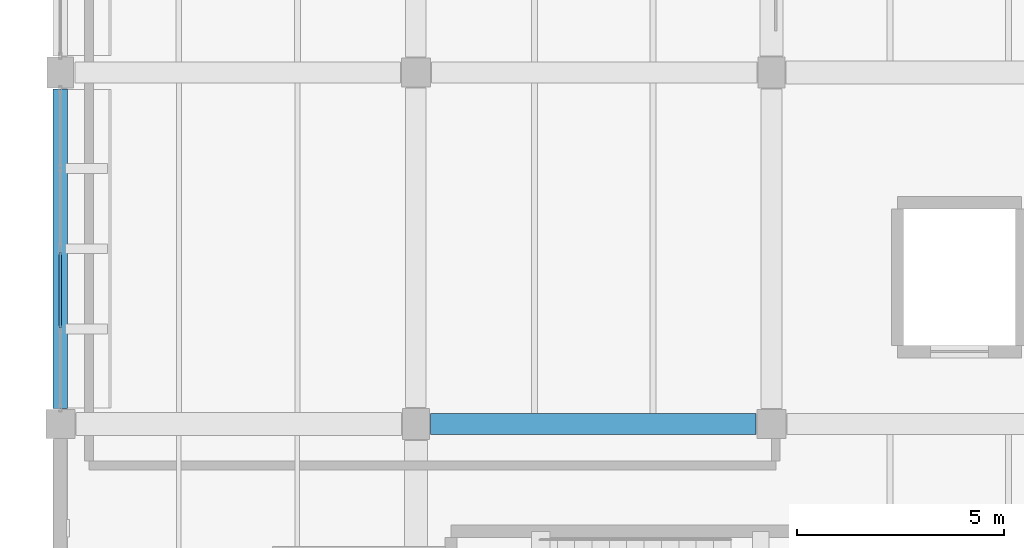
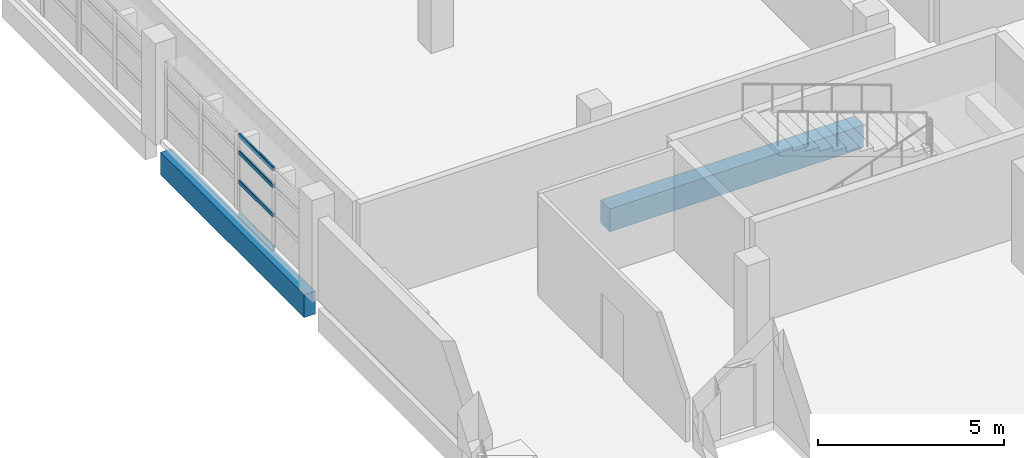
# One storey, part 15 of 75: 4 members, 2 beams, 1 element without a shape of its own.
"""IFC4 building model written with IfcOpenShell, lengths in metres."""

from ifc_helpers import new_model, si_unit, direction, frame, origin, origin_2d, place, context, subcontext, project, spatial, rectangle, hollow_rectangle, extrude, material, material_profile, profile_set, type_object, element, aggregate, save


model = new_model("IFC4")

# Units and contexts
model_context = context("Model", 3, precision=1e-05, world=origin(), true_north=direction((0.0, 1.0)))
body_context = subcontext(model_context, "Body", "Model", "MODEL_VIEW")
ifc_project = project(units=[si_unit("LENGTHUNIT", "METRE"), si_unit("AREAUNIT", "SQUARE_METRE"), si_unit("VOLUMEUNIT", "CUBIC_METRE"), si_unit("PLANEANGLEUNIT", "RADIAN"), si_unit("MASSUNIT", "GRAM", prefix="KILO")], contexts=[model_context])

# Site, building, storey
site_placement = place(None, origin())
site = spatial("IfcSite", under=ifc_project, at=site_placement, CompositionType="ELEMENT")
building_placement = place(site_placement, origin())
building = spatial("IfcBuilding", under=site, at=building_placement, Name="Varnakota Cinema and Media Centre", CompositionType="ELEMENT")
storey_placement = place(building_placement, frame((0.0, 0.0, 8.39990234375)))
storey = spatial("IfcBuildingStorey", under=building, at=storey_placement, Name="L02", CompositionType="ELEMENT", Elevation=8.39990234375)

# Beams
ifc_material_1 = material(Name="Concrete M35", Category="concrete")
ifc_material_profile_1 = material_profile(ifc_material_1, rectangle(XDim=0.5, YDim=0.75, at=origin_2d()), Name="RCB 500x750")
ifc_profile_set_1 = profile_set([ifc_material_profile_1], Name="Concrete M35")
beam_type_1 = type_object("IfcBeamType", Name="BM-RC-500x750", PredefinedType="BEAM", material=ifc_profile_set_1)
beam_1_placement = place(storey_placement, frame((8.949951171875, 52.5, -0.625), z_axis=(1.0, 0.0, 0.0), x_axis=(0.0, 1.0, 0.0)))
element("IfcBeam", 1, at=beam_1_placement, inside=storey, type_object=beam_type_1, Name="L02 girder B-C/7", PredefinedType="BEAM", context=body_context, shape_type="SweptSolid", body=[
    extrude(rectangle(XDim=0.5, YDim=0.75, at=origin_2d()), origin(), (0.0, 0.0, 1.0), 7.875),
])
ifc_material_2 = material(Name="Concrete M40", Category="concrete")
ifc_material_profile_2 = material_profile(ifc_material_2, rectangle(XDim=0.35009765625, YDim=0.75, at=origin_2d()), Name="RCB 350x750")
ifc_profile_set_2 = profile_set([ifc_material_profile_2], Name="Concrete M40")
beam_type_2 = type_object("IfcBeamType", Name="BM-SP-350x750", PredefinedType="SPANDREL", material=ifc_profile_set_2)
beam_2_placement = place(storey_placement, frame((0.0, 52.875, -0.625), z_axis=(0.0, 1.0, 0.0), x_axis=(-1.0, 0.0, 0.0)))
element("IfcBeam", 2, at=beam_2_placement, inside=storey, type_object=beam_type_2, Name="L02 girder A/7-8", PredefinedType="SPANDREL", context=body_context, shape_type="SweptSolid", body=[
    extrude(rectangle(XDim=0.35009765625, YDim=0.75, at=origin_2d()), origin(), (0.0, 0.0, 1.0), 7.72509765625),
])

# Curtain wall, members
ifc_material_3 = material(Name="Thermally broken anodised aluminium AW-6063", Category="aluminium")
curtain_wall_type = type_object("IfcCurtainWallType", Name="CW-STD-387x268", PredefinedType="USERDEFINED", material=ifc_material_3)
curtain_wall_placement = place(storey_placement, origin())
curtain_wall = element("IfcCurtainWall", 3, at=curtain_wall_placement, inside=storey, type_object=curtain_wall_type, Name="L02 curtain wall CW-L02-V5-W-03-2", ObjectType="UNITISED CURTAIN WALL", PredefinedType="USERDEFINED")
ifc_material_4 = material(Name="Thermally broken anodised aluminium AW-6063", Category="aluminium")
ifc_material_profile_3 = material_profile(ifc_material_4, hollow_rectangle(XDim=0.06494140625, YDim=0.139892578125, WallThickness=0.00390625, InnerFilletRadius=0.00390625, OuterFilletRadius=0.008056640625, at=origin_2d()), Name="AL-TRANSOM 140x65x4")
ifc_profile_set_3 = profile_set([ifc_material_profile_3], Name="Thermally broken anodised aluminium AW-6063")
member_type = type_object("IfcMemberType", Name="CWT-AL-140", PredefinedType="USERDEFINED", material=ifc_profile_set_3)
member_1_placement = place(storey_placement, frame((0.0, 56.652587890625, 0.03271484375), z_axis=(0.0, -1.0, 0.0), x_axis=(1.0, 0.0, 0.0)))
member_1 = element("IfcMember", 4, at=member_1_placement, type_object=member_type, Name="CW39 transom 1.1", ObjectType="TRANSOM", PredefinedType="USERDEFINED", context=body_context, shape_type="SweptSolid", body=[
    extrude(hollow_rectangle(XDim=0.06494140625, YDim=0.139892578125, WallThickness=0.00390625, InnerFilletRadius=0.00390625, OuterFilletRadius=0.008056640625, at=origin_2d()), origin(), (0.0, 0.0, 1.0), 1.83642578125),
])
member_2_placement = place(storey_placement, frame((0.0, 56.652587890625, 1.12353515625), z_axis=(0.0, -1.0, 0.0), x_axis=(1.0, 0.0, 0.0)))
member_2 = element("IfcMember", 5, at=member_2_placement, type_object=member_type, Name="CW39 transom 1.2", ObjectType="TRANSOM", PredefinedType="USERDEFINED", context=body_context, shape_type="SweptSolid", body=[
    extrude(hollow_rectangle(XDim=0.06494140625, YDim=0.139892578125, WallThickness=0.00390625, InnerFilletRadius=0.00390625, OuterFilletRadius=0.008056640625, at=origin_2d()), origin(), (0.0, 0.0, 1.0), 1.83642578125),
])
member_3_placement = place(storey_placement, frame((0.0, 56.652587890625, 2.086669921875), z_axis=(0.0, -1.0, 0.0), x_axis=(1.0, 0.0, 0.0)))
member_3 = element("IfcMember", 6, at=member_3_placement, type_object=member_type, Name="CW39 transom 1.3", ObjectType="TRANSOM", PredefinedType="USERDEFINED", context=body_context, shape_type="SweptSolid", body=[
    extrude(hollow_rectangle(XDim=0.06494140625, YDim=0.139892578125, WallThickness=0.00390625, InnerFilletRadius=0.00390625, OuterFilletRadius=0.008056640625, at=origin_2d()), origin(), (0.0, 0.0, 1.0), 1.83642578125),
])
member_4_placement = place(storey_placement, frame((0.0, 56.652587890625, 2.642578125), z_axis=(0.0, -1.0, 0.0), x_axis=(1.0, 0.0, 0.0)))
member_4 = element("IfcMember", 7, at=member_4_placement, type_object=member_type, Name="CW39 transom 1.4", ObjectType="TRANSOM", PredefinedType="USERDEFINED", context=body_context, shape_type="SweptSolid", body=[
    extrude(hollow_rectangle(XDim=0.06494140625, YDim=0.139892578125, WallThickness=0.00390625, InnerFilletRadius=0.00390625, OuterFilletRadius=0.008056640625, at=origin_2d()), origin(), (0.0, 0.0, 1.0), 1.83642578125),
])
aggregate(curtain_wall, [member_1, member_2, member_3, member_4])

save(model, "model.ifc")
